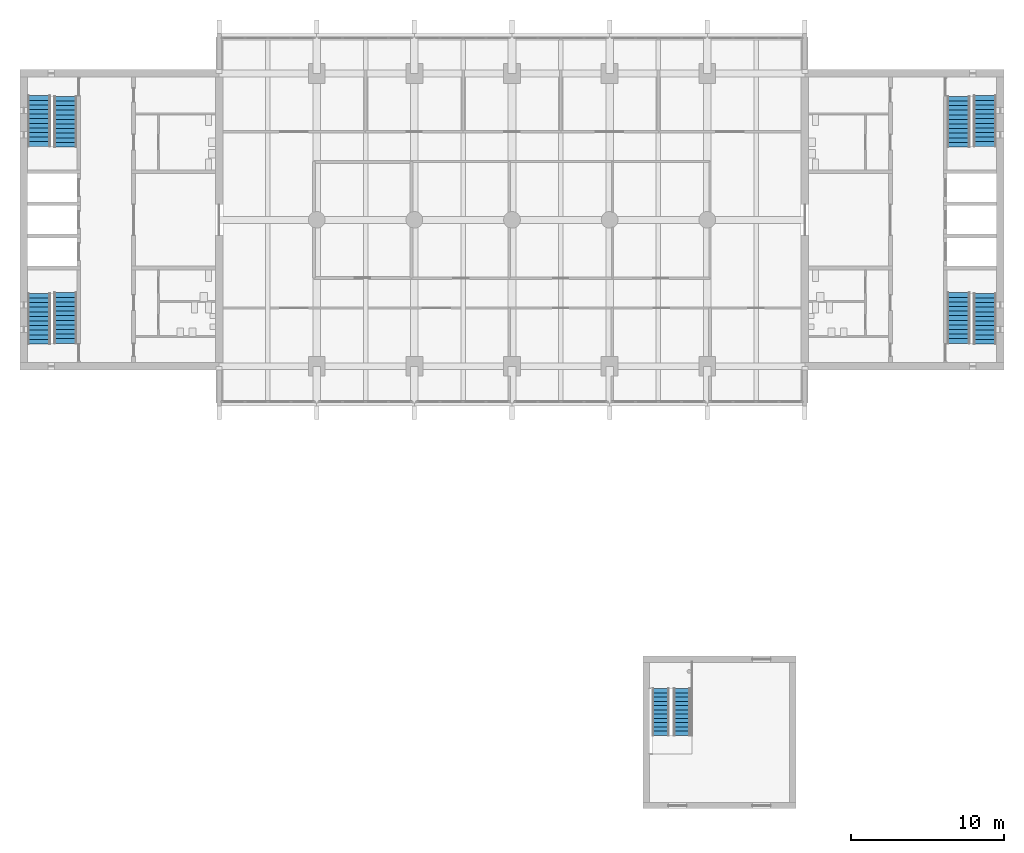
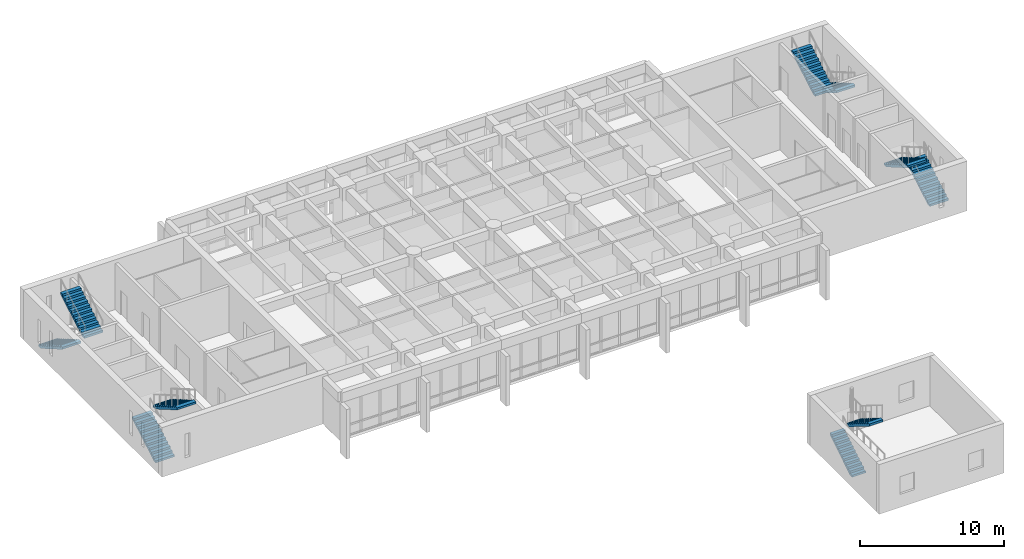
# One storey, part 14 of 18: 10 stair flights, 5 elements without a shape of their own.
"""IFC4 building model written with IfcOpenShell, lengths in metres."""

from ifc_helpers import new_model, si_unit, direction, frame, origin, place, context, subcontext, project, spatial, polyline, outline, extrude, material, type_object, element, aggregate, save


model = new_model("IFC4")

# Units and contexts
model_context = context("Model", 3, precision=1e-05, world=origin(), true_north=direction((0.0, 1.0)))
body_context = subcontext(model_context, "Body", "Model", "MODEL_VIEW")
ifc_project = project(units=[si_unit("LENGTHUNIT", "METRE"), si_unit("AREAUNIT", "SQUARE_METRE"), si_unit("VOLUMEUNIT", "CUBIC_METRE"), si_unit("PLANEANGLEUNIT", "RADIAN"), si_unit("MASSUNIT", "GRAM", prefix="KILO")], contexts=[model_context])

# Site, building, storey
site_placement = place(None, origin())
site = spatial("IfcSite", under=ifc_project, at=site_placement, CompositionType="ELEMENT")
building_placement = place(site_placement, origin())
building = spatial("IfcBuilding", under=site, at=building_placement, Name="Fogon Plaza Fire Station and Headquarters Tower", CompositionType="ELEMENT")
storey_placement = place(building_placement, frame((0.0, 0.0, 12.89990234375)))
storey = spatial("IfcBuildingStorey", under=building, at=storey_placement, Name="L03", CompositionType="ELEMENT", Elevation=12.89990234375)

# Stair, stair flights
ifc_material_1 = material(Name="Concrete C40", Category="concrete")
stair_type_1 = type_object("IfcStairType", Name="Drill Stair 1100", PredefinedType="HALF_TURN_STAIR", material=ifc_material_1)
stair_1_placement = place(storey_placement, origin())
stair_1 = element("IfcStair", 1, at=stair_1_placement, inside=storey, type_object=stair_type_1, Name="DT1", PredefinedType="HALF_TURN_STAIR")
ifc_material_2 = material(Name="Concrete C40", Category="concrete")
stair_flight_type_1 = type_object("IfcStairFlightType", Name="Drill Stair Flight 1100", PredefinedType="STRAIGHT", material=ifc_material_2)
stair_flight_1_placement = place(storey_placement, frame((54.550048828125, 9.39990234375, 0.0), z_axis=(0.0, 0.0, 1.0), x_axis=(0.0, 1.0, 0.0)))
stair_flight_1 = element("IfcStairFlight", 2, at=stair_flight_1_placement, type_object=stair_flight_type_1, Name="DT1 flight 1", NumberOfRisers=12, NumberOfTreads=11, PredefinedType="STRAIGHT", RiserHeight=0.175, TreadLength=0.28, context=body_context, shape_type="SweptSolid", body=[
    extrude(outline(polyline([(0.0, 0.0), (0.0, 0.175048828125), (0.280029296875, 0.175048828125), (0.280029296875, 0.35009765625), (0.56005859375, 0.35009765625), (0.56005859375, 0.52490234375), (0.840087890625, 0.52490234375), (0.840087890625, 0.699951171875), (1.1201171875, 0.699951171875), (1.1201171875, 0.875), (1.39990234375, 0.875), (1.39990234375, 1.050048828125), (1.679931640625, 1.050048828125), (1.679931640625, 1.22509765625), (1.9599609375, 1.22509765625), (1.9599609375, 1.39990234375), (2.239990234375, 1.39990234375), (2.239990234375, 1.574951171875), (2.52001953125, 1.574951171875), (2.52001953125, 1.75), (2.800048828125, 1.75), (2.800048828125, 1.925048828125), (3.080078125, 1.925048828125), (3.080078125, 2.10009765625), (3.080078125, 1.748291015625), (0.28271484375, 0.0), (0.0, 0.0)])), frame((0.0, 0.550048828125, 0.0), z_axis=(0.0, -1.0, 0.0), x_axis=(1.0, 0.0, 0.0)), (0.0, 0.0, 1.0), 1.10009765625),
])
stair_flight_2_placement = place(storey_placement, frame((55.929931640625, 12.47998046875, 2.10009765625), z_axis=(0.0, 0.0, 1.0), x_axis=(0.0, -1.0, 0.0)))
stair_flight_2 = element("IfcStairFlight", 3, at=stair_flight_2_placement, type_object=stair_flight_type_1, Name="DT1 flight 2", NumberOfRisers=12, NumberOfTreads=11, PredefinedType="STRAIGHT", RiserHeight=0.175, TreadLength=0.28, context=body_context, shape_type="SweptSolid", body=[
    extrude(outline(polyline([(0.0, 0.0), (0.0, 0.175048828125), (0.280029296875, 0.175048828125), (0.280029296875, 0.35009765625), (0.56005859375, 0.35009765625), (0.56005859375, 0.52490234375), (0.840087890625, 0.52490234375), (0.840087890625, 0.699951171875), (1.1201171875, 0.699951171875), (1.1201171875, 0.875), (1.39990234375, 0.875), (1.39990234375, 1.050048828125), (1.679931640625, 1.050048828125), (1.679931640625, 1.22509765625), (1.9599609375, 1.22509765625), (1.9599609375, 1.39990234375), (2.239990234375, 1.39990234375), (2.239990234375, 1.574951171875), (2.52001953125, 1.574951171875), (2.52001953125, 1.75), (2.800048828125, 1.75), (2.800048828125, 1.925048828125), (3.080078125, 1.925048828125), (3.080078125, 2.10009765625), (3.080078125, 1.748291015625), (0.28271484375, 0.0), (0.0, 0.0)])), frame((0.0, 0.550048828125, 0.0), z_axis=(0.0, -1.0, 0.0), x_axis=(1.0, 0.0, 0.0)), (0.0, 0.0, 1.0), 1.10009765625),
])
aggregate(stair_1, [stair_flight_1, stair_flight_2])

ifc_material_3 = material(Name="Concrete C40", Category="concrete")
stair_type_2 = type_object("IfcStairType", Name="Exit Stair Two Flights", PredefinedType="TWO_STRAIGHT_RUN_STAIR", material=ifc_material_3)
stair_2_placement = place(storey_placement, origin())
stair_2 = element("IfcStair", 4, at=stair_2_placement, inside=storey, type_object=stair_type_2, Name="Stair ST1", PredefinedType="TWO_STRAIGHT_RUN_STAIR")
ifc_material_4 = material(Name="Concrete C40", Category="concrete")
stair_flight_type_2 = type_object("IfcStairFlightType", Name="Stair Flight 12 Risers", PredefinedType="STRAIGHT", material=ifc_material_4)
stair_flight_3_placement = place(storey_placement, frame((13.800048828125, 35.060791015625, 0.0), z_axis=(0.0, 0.0, 1.0), x_axis=(0.0, 1.0, 0.0)))
stair_flight_3 = element("IfcStairFlight", 5, at=stair_flight_3_placement, type_object=stair_flight_type_2, Name="ST1 flight F09", NumberOfRisers=12, NumberOfTreads=11, PredefinedType="STRAIGHT", RiserHeight=0.175, TreadLength=0.301363636, context=body_context, shape_type="SweptSolid", body=[
    extrude(outline(polyline([(0.0, 0.0), (0.0, 0.175048828125), (0.30126953125, 0.175048828125), (0.30126953125, 0.35009765625), (0.602783203125, 0.35009765625), (0.602783203125, 0.52490234375), (0.904052734375, 0.52490234375), (0.904052734375, 0.699951171875), (1.20556640625, 0.699951171875), (1.20556640625, 0.875), (1.5068359375, 0.875), (1.5068359375, 1.050048828125), (1.80810546875, 1.050048828125), (1.80810546875, 1.22509765625), (2.109619140625, 1.22509765625), (2.109619140625, 1.39990234375), (2.410888671875, 1.39990234375), (2.410888671875, 1.574951171875), (2.712158203125, 1.574951171875), (2.712158203125, 1.75), (3.013671875, 1.75), (3.013671875, 1.925048828125), (3.31494140625, 1.925048828125), (3.31494140625, 2.10009765625), (3.31494140625, 1.751708984375), (0.298583984375, 0.0), (0.0, 0.0)])), frame((0.0, 0.75, 0.0), z_axis=(0.0, -1.0, 0.0), x_axis=(1.0, 0.0, 0.0)), (0.0, 0.0, 1.0), 1.5),
])
stair_flight_4_placement = place(storey_placement, frame((15.52490234375, 38.42431640625, 2.10009765625), z_axis=(0.0, 0.0, 1.0), x_axis=(0.0, -1.0, 0.0)))
stair_flight_4 = element("IfcStairFlight", 6, at=stair_flight_4_placement, type_object=stair_flight_type_2, Name="ST1 flight F10", NumberOfRisers=12, NumberOfTreads=11, PredefinedType="STRAIGHT", RiserHeight=0.175, TreadLength=0.301363636, context=body_context, shape_type="SweptSolid", body=[
    extrude(outline(polyline([(0.0, 0.0), (0.0, 0.175048828125), (0.30126953125, 0.175048828125), (0.30126953125, 0.35009765625), (0.602783203125, 0.35009765625), (0.602783203125, 0.52490234375), (0.904052734375, 0.52490234375), (0.904052734375, 0.699951171875), (1.20556640625, 0.699951171875), (1.20556640625, 0.875), (1.5068359375, 0.875), (1.5068359375, 1.050048828125), (1.80810546875, 1.050048828125), (1.80810546875, 1.22509765625), (2.109619140625, 1.22509765625), (2.109619140625, 1.39990234375), (2.410888671875, 1.39990234375), (2.410888671875, 1.574951171875), (2.712158203125, 1.574951171875), (2.712158203125, 1.75), (3.013671875, 1.75), (3.013671875, 1.925048828125), (3.31494140625, 1.925048828125), (3.31494140625, 2.10009765625), (3.31494140625, 1.751708984375), (0.298583984375, 0.0), (0.0, 0.0)])), frame((0.0, 0.75, 0.0), z_axis=(0.0, -1.0, 0.0), x_axis=(1.0, 0.0, 0.0)), (0.0, 0.0, 1.0), 1.5),
])
aggregate(stair_2, [stair_flight_3, stair_flight_4])

stair_3_placement = place(storey_placement, origin())
stair_3 = element("IfcStair", 7, at=stair_3_placement, inside=storey, type_object=stair_type_2, Name="Stair ST2", PredefinedType="TWO_STRAIGHT_RUN_STAIR")
stair_flight_5_placement = place(storey_placement, frame((13.800048828125, 51.33935546875, 0.0), z_axis=(0.0, 0.0, 1.0), x_axis=(0.0, -1.0, 0.0)))
stair_flight_5 = element("IfcStairFlight", 8, at=stair_flight_5_placement, type_object=stair_flight_type_2, Name="ST2 flight F09", NumberOfRisers=12, NumberOfTreads=11, PredefinedType="STRAIGHT", RiserHeight=0.175, TreadLength=0.301363636, context=body_context, shape_type="SweptSolid", body=[
    extrude(outline(polyline([(0.0, 0.0), (0.0, 0.175048828125), (0.30126953125, 0.175048828125), (0.30126953125, 0.35009765625), (0.602783203125, 0.35009765625), (0.602783203125, 0.52490234375), (0.904052734375, 0.52490234375), (0.904052734375, 0.699951171875), (1.20556640625, 0.699951171875), (1.20556640625, 0.875), (1.5068359375, 0.875), (1.5068359375, 1.050048828125), (1.80810546875, 1.050048828125), (1.80810546875, 1.22509765625), (2.109619140625, 1.22509765625), (2.109619140625, 1.39990234375), (2.410888671875, 1.39990234375), (2.410888671875, 1.574951171875), (2.712158203125, 1.574951171875), (2.712158203125, 1.75), (3.013671875, 1.75), (3.013671875, 1.925048828125), (3.31494140625, 1.925048828125), (3.31494140625, 2.10009765625), (3.31494140625, 1.751708984375), (0.298583984375, 0.0), (0.0, 0.0)])), frame((0.0, 0.75, 0.0), z_axis=(0.0, -1.0, 0.0), x_axis=(1.0, 0.0, 0.0)), (0.0, 0.0, 1.0), 1.5),
])
stair_flight_6_placement = place(storey_placement, frame((15.52490234375, 47.975830078125, 2.10009765625), z_axis=(0.0, 0.0, 1.0), x_axis=(0.0, 1.0, 0.0)))
stair_flight_6 = element("IfcStairFlight", 9, at=stair_flight_6_placement, type_object=stair_flight_type_2, Name="ST2 flight F10", NumberOfRisers=12, NumberOfTreads=11, PredefinedType="STRAIGHT", RiserHeight=0.175, TreadLength=0.301363636, context=body_context, shape_type="SweptSolid", body=[
    extrude(outline(polyline([(0.0, 0.0), (0.0, 0.175048828125), (0.30126953125, 0.175048828125), (0.30126953125, 0.35009765625), (0.602783203125, 0.35009765625), (0.602783203125, 0.52490234375), (0.904052734375, 0.52490234375), (0.904052734375, 0.699951171875), (1.20556640625, 0.699951171875), (1.20556640625, 0.875), (1.5068359375, 0.875), (1.5068359375, 1.050048828125), (1.80810546875, 1.050048828125), (1.80810546875, 1.22509765625), (2.109619140625, 1.22509765625), (2.109619140625, 1.39990234375), (2.410888671875, 1.39990234375), (2.410888671875, 1.574951171875), (2.712158203125, 1.574951171875), (2.712158203125, 1.75), (3.013671875, 1.75), (3.013671875, 1.925048828125), (3.31494140625, 1.925048828125), (3.31494140625, 2.10009765625), (3.31494140625, 1.751708984375), (0.298583984375, 0.0), (0.0, 0.0)])), frame((0.0, 0.75, 0.0), z_axis=(0.0, -1.0, 0.0), x_axis=(1.0, 0.0, 0.0)), (0.0, 0.0, 1.0), 1.5),
])
aggregate(stair_3, [stair_flight_5, stair_flight_6])

stair_4_placement = place(storey_placement, origin())
stair_4 = element("IfcStair", 10, at=stair_4_placement, inside=storey, type_object=stair_type_2, Name="Stair ST3", PredefinedType="TWO_STRAIGHT_RUN_STAIR")
stair_flight_7_placement = place(storey_placement, frame((75.800048828125, 35.060791015625, 0.0), z_axis=(0.0, 0.0, 1.0), x_axis=(0.0, 1.0, 0.0)))
stair_flight_7 = element("IfcStairFlight", 11, at=stair_flight_7_placement, type_object=stair_flight_type_2, Name="ST3 flight F09", NumberOfRisers=12, NumberOfTreads=11, PredefinedType="STRAIGHT", RiserHeight=0.175, TreadLength=0.301363636, context=body_context, shape_type="SweptSolid", body=[
    extrude(outline(polyline([(0.0, 0.0), (0.0, 0.175048828125), (0.30126953125, 0.175048828125), (0.30126953125, 0.35009765625), (0.602783203125, 0.35009765625), (0.602783203125, 0.52490234375), (0.904052734375, 0.52490234375), (0.904052734375, 0.699951171875), (1.20556640625, 0.699951171875), (1.20556640625, 0.875), (1.5068359375, 0.875), (1.5068359375, 1.050048828125), (1.80810546875, 1.050048828125), (1.80810546875, 1.22509765625), (2.109619140625, 1.22509765625), (2.109619140625, 1.39990234375), (2.410888671875, 1.39990234375), (2.410888671875, 1.574951171875), (2.712158203125, 1.574951171875), (2.712158203125, 1.75), (3.013671875, 1.75), (3.013671875, 1.925048828125), (3.31494140625, 1.925048828125), (3.31494140625, 2.10009765625), (3.31494140625, 1.751708984375), (0.298583984375, 0.0), (0.0, 0.0)])), frame((0.0, 0.75, 0.0), z_axis=(0.0, -1.0, 0.0), x_axis=(1.0, 0.0, 0.0)), (0.0, 0.0, 1.0), 1.5),
])
stair_flight_8_placement = place(storey_placement, frame((74.074951171875, 38.42431640625, 2.10009765625), z_axis=(0.0, 0.0, 1.0), x_axis=(0.0, -1.0, 0.0)))
stair_flight_8 = element("IfcStairFlight", 12, at=stair_flight_8_placement, type_object=stair_flight_type_2, Name="ST3 flight F10", NumberOfRisers=12, NumberOfTreads=11, PredefinedType="STRAIGHT", RiserHeight=0.175, TreadLength=0.301363636, context=body_context, shape_type="SweptSolid", body=[
    extrude(outline(polyline([(0.0, 0.0), (0.0, 0.175048828125), (0.30126953125, 0.175048828125), (0.30126953125, 0.35009765625), (0.602783203125, 0.35009765625), (0.602783203125, 0.52490234375), (0.904052734375, 0.52490234375), (0.904052734375, 0.699951171875), (1.20556640625, 0.699951171875), (1.20556640625, 0.875), (1.5068359375, 0.875), (1.5068359375, 1.050048828125), (1.80810546875, 1.050048828125), (1.80810546875, 1.22509765625), (2.109619140625, 1.22509765625), (2.109619140625, 1.39990234375), (2.410888671875, 1.39990234375), (2.410888671875, 1.574951171875), (2.712158203125, 1.574951171875), (2.712158203125, 1.75), (3.013671875, 1.75), (3.013671875, 1.925048828125), (3.31494140625, 1.925048828125), (3.31494140625, 2.10009765625), (3.31494140625, 1.751708984375), (0.298583984375, 0.0), (0.0, 0.0)])), frame((0.0, 0.75, 0.0), z_axis=(0.0, -1.0, 0.0), x_axis=(1.0, 0.0, 0.0)), (0.0, 0.0, 1.0), 1.5),
])
aggregate(stair_4, [stair_flight_7, stair_flight_8])

stair_5_placement = place(storey_placement, origin())
stair_5 = element("IfcStair", 13, at=stair_5_placement, inside=storey, type_object=stair_type_2, Name="Stair ST4", PredefinedType="TWO_STRAIGHT_RUN_STAIR")
stair_flight_9_placement = place(storey_placement, frame((75.800048828125, 51.33935546875, 0.0), z_axis=(0.0, 0.0, 1.0), x_axis=(0.0, -1.0, 0.0)))
stair_flight_9 = element("IfcStairFlight", 14, at=stair_flight_9_placement, type_object=stair_flight_type_2, Name="ST4 flight F09", NumberOfRisers=12, NumberOfTreads=11, PredefinedType="STRAIGHT", RiserHeight=0.175, TreadLength=0.301363636, context=body_context, shape_type="SweptSolid", body=[
    extrude(outline(polyline([(0.0, 0.0), (0.0, 0.175048828125), (0.30126953125, 0.175048828125), (0.30126953125, 0.35009765625), (0.602783203125, 0.35009765625), (0.602783203125, 0.52490234375), (0.904052734375, 0.52490234375), (0.904052734375, 0.699951171875), (1.20556640625, 0.699951171875), (1.20556640625, 0.875), (1.5068359375, 0.875), (1.5068359375, 1.050048828125), (1.80810546875, 1.050048828125), (1.80810546875, 1.22509765625), (2.109619140625, 1.22509765625), (2.109619140625, 1.39990234375), (2.410888671875, 1.39990234375), (2.410888671875, 1.574951171875), (2.712158203125, 1.574951171875), (2.712158203125, 1.75), (3.013671875, 1.75), (3.013671875, 1.925048828125), (3.31494140625, 1.925048828125), (3.31494140625, 2.10009765625), (3.31494140625, 1.751708984375), (0.298583984375, 0.0), (0.0, 0.0)])), frame((0.0, 0.75, 0.0), z_axis=(0.0, -1.0, 0.0), x_axis=(1.0, 0.0, 0.0)), (0.0, 0.0, 1.0), 1.5),
])
stair_flight_10_placement = place(storey_placement, frame((74.074951171875, 47.975830078125, 2.10009765625), z_axis=(0.0, 0.0, 1.0), x_axis=(0.0, 1.0, 0.0)))
stair_flight_10 = element("IfcStairFlight", 15, at=stair_flight_10_placement, type_object=stair_flight_type_2, Name="ST4 flight F10", NumberOfRisers=12, NumberOfTreads=11, PredefinedType="STRAIGHT", RiserHeight=0.175, TreadLength=0.301363636, context=body_context, shape_type="SweptSolid", body=[
    extrude(outline(polyline([(0.0, 0.0), (0.0, 0.175048828125), (0.30126953125, 0.175048828125), (0.30126953125, 0.35009765625), (0.602783203125, 0.35009765625), (0.602783203125, 0.52490234375), (0.904052734375, 0.52490234375), (0.904052734375, 0.699951171875), (1.20556640625, 0.699951171875), (1.20556640625, 0.875), (1.5068359375, 0.875), (1.5068359375, 1.050048828125), (1.80810546875, 1.050048828125), (1.80810546875, 1.22509765625), (2.109619140625, 1.22509765625), (2.109619140625, 1.39990234375), (2.410888671875, 1.39990234375), (2.410888671875, 1.574951171875), (2.712158203125, 1.574951171875), (2.712158203125, 1.75), (3.013671875, 1.75), (3.013671875, 1.925048828125), (3.31494140625, 1.925048828125), (3.31494140625, 2.10009765625), (3.31494140625, 1.751708984375), (0.298583984375, 0.0), (0.0, 0.0)])), frame((0.0, 0.75, 0.0), z_axis=(0.0, -1.0, 0.0), x_axis=(1.0, 0.0, 0.0)), (0.0, 0.0, 1.0), 1.5),
])
aggregate(stair_5, [stair_flight_9, stair_flight_10])

save(model, "model.ifc")
